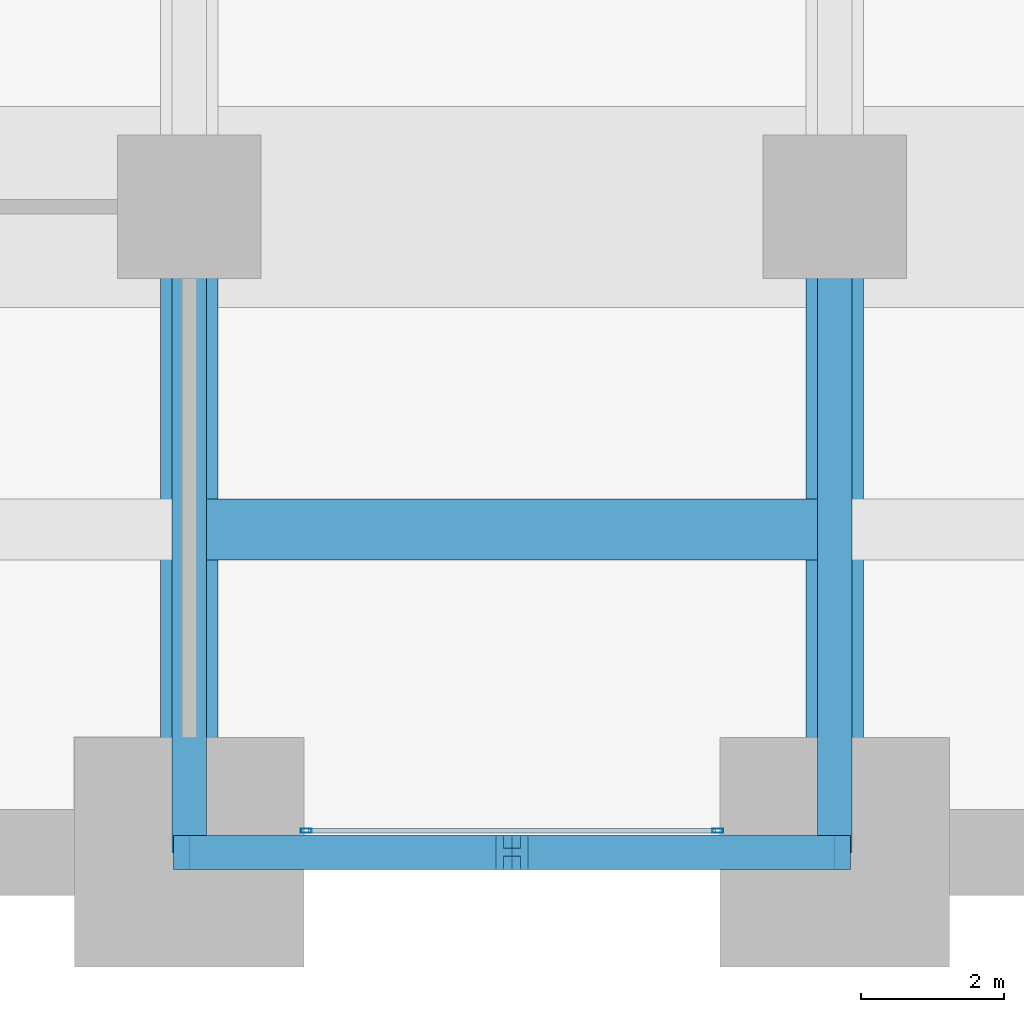
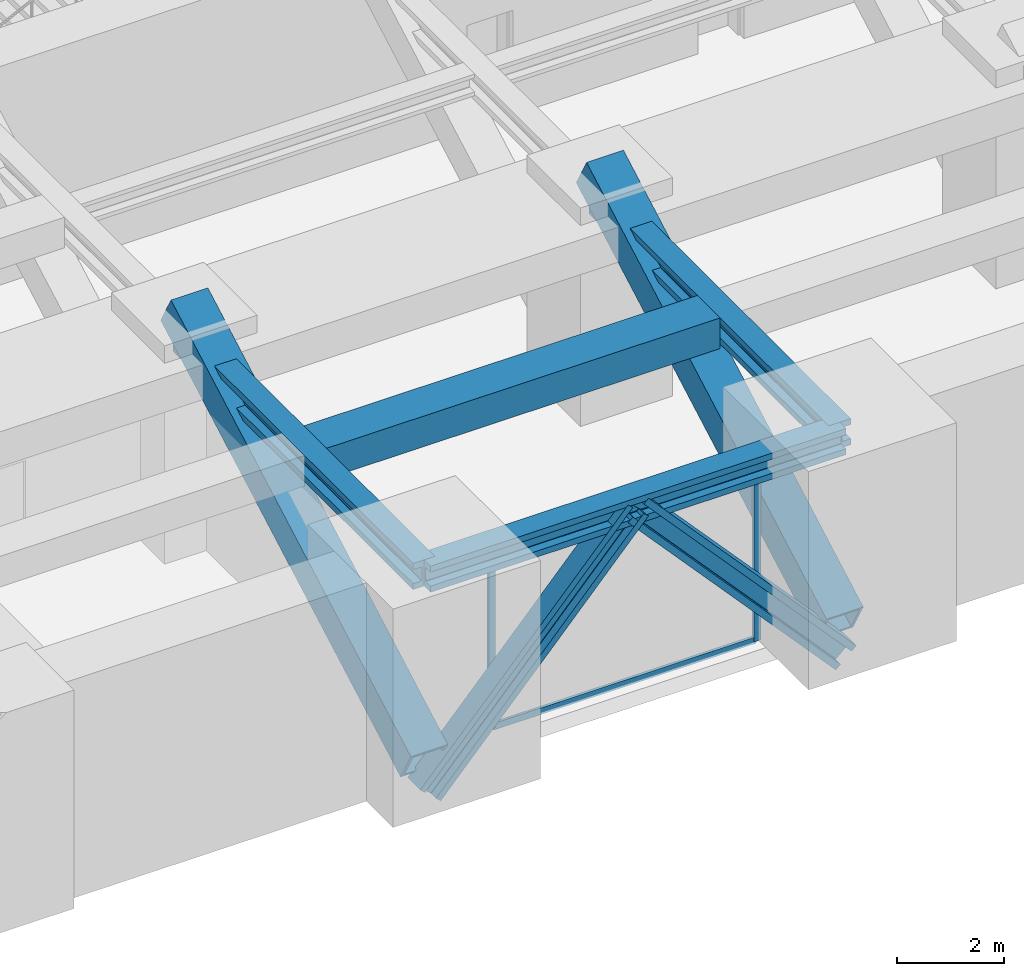
# One storey, part 7 of 38: 7 members, 4 beams, 1 element without a shape of its own.
"""IFC4 building model written with IfcOpenShell, lengths in metres."""

from ifc_helpers import new_model, si_unit, direction, frame, origin, origin_2d, place, context, subcontext, project, spatial, rectangle, hollow_rectangle, i_section, extrude, material, material_profile, profile_set, type_object, element, aggregate, save


model = new_model("IFC4")

# Units and contexts
model_context = context("Model", 3, precision=1e-05, world=origin(), true_north=direction((0.0, 1.0)))
body_context = subcontext(model_context, "Body", "Model", "MODEL_VIEW")
ifc_project = project(units=[si_unit("LENGTHUNIT", "METRE"), si_unit("AREAUNIT", "SQUARE_METRE"), si_unit("VOLUMEUNIT", "CUBIC_METRE"), si_unit("PLANEANGLEUNIT", "RADIAN"), si_unit("MASSUNIT", "GRAM", prefix="KILO")], contexts=[model_context])

# Site, building, storey
site_placement = place(None, origin())
site = spatial("IfcSite", under=ifc_project, at=site_placement, CompositionType="ELEMENT")
building_placement = place(site_placement, origin())
building = spatial("IfcBuilding", under=site, at=building_placement, Name="Zorevar Civic Tower", CompositionType="ELEMENT")
storey_placement = place(building_placement, frame((0.0, 0.0, 157.199951171875)))
storey = spatial("IfcBuildingStorey", under=building, at=storey_placement, Name="L38", CompositionType="ELEMENT", Elevation=157.199951171875)

# Beams
ifc_material_1 = material(Name="Concrete C50/60", Category="concrete")
ifc_material_profile_1 = material_profile(ifc_material_1, rectangle(XDim=0.85009765625, YDim=0.699951171875, at=origin_2d()), Name="RC 850x700")
ifc_profile_set_1 = profile_set([ifc_material_profile_1], Name="Concrete C50/60")
beam_type_1 = type_object("IfcBeamType", Name="Beam RC 850x700", PredefinedType="BEAM", material=ifc_profile_set_1)
beam_1_placement = place(storey_placement, frame((18.238037109375, 4.5, 4.25), z_axis=(1.0, 0.0, 0.0), x_axis=(0.0, 1.0, 0.0)))
element("IfcBeam", 1, at=beam_1_placement, inside=storey, type_object=beam_type_1, Name="Secondary beam L39", PredefinedType="BEAM", context=body_context, shape_type="SweptSolid", body=[
    extrude(rectangle(XDim=0.85009765625, YDim=0.699951171875, at=origin_2d()), origin(), (0.0, 0.0, 1.0), 8.52392578125),
])
ifc_material_2 = material(Name="Steel S460M (HISTAR 460)", Category="steel")
ifc_material_profile_2 = material_profile(ifc_material_2, i_section(OverallWidth=0.47607421875, OverallDepth=0.60009765625, WebThickness=0.10009765625, FlangeThickness=0.139892578125, FilletRadius=0.014892578125, at=origin_2d()), Name="HD 400x1299")
ifc_profile_set_2 = profile_set([ifc_material_profile_2], Name="Steel S460M (HISTAR 460)")
beam_type_2 = type_object("IfcBeamType", Name="Belt chord HD 400x1299", PredefinedType="BEAM", material=ifc_profile_set_2)
beam_2_placement = place(storey_placement, frame((18.0, 0.0, 4.300048828125), z_axis=(1.0, 0.0, 0.0), x_axis=(0.0, 1.0, 0.0)))
element("IfcBeam", 2, at=beam_2_placement, inside=storey, type_object=beam_type_2, Name="Belt chord L39", PredefinedType="BEAM", context=body_context, shape_type="SweptSolid", body=[
    extrude(i_section(OverallWidth=0.47607421875, OverallDepth=0.60009765625, WebThickness=0.10009765625, FlangeThickness=0.139892578125, FilletRadius=0.014892578125, at=origin_2d()), origin(), (0.0, 0.0, 1.0), 9.0),
])

# Members
ifc_material_3 = material(Name="Steel S460M (HISTAR 460)", Category="steel")
ifc_material_profile_3 = material_profile(ifc_material_3, i_section(OverallWidth=0.47607421875, OverallDepth=0.60009765625, WebThickness=0.10009765625, FlangeThickness=0.139892578125, FilletRadius=0.014892578125, at=origin_2d()), Name="HD 400x1299")
ifc_profile_set_3 = profile_set([ifc_material_profile_3], Name="Steel S460M (HISTAR 460)")
member_type_1 = type_object("IfcMemberType", Name="Belt strut HD 400x1299", PredefinedType="BRACE", material=ifc_profile_set_3)
for number, where, z_axis, x_axis, name in (
    (3, (18.0, 0.0, -0.64990234375), (0.672676426978, 0.0, 0.739936770669), (0.0, 1.0, 0.0), "Belt strut S L38"),
    (4, (27.0, 0.0, -0.64990234375), (-0.672676426978, 0.0, 0.739936770669), (0.0, -1.0, 0.0), "Belt strut S L38"),
):
    element("IfcMember", number, at=place(storey_placement, frame(where, z_axis=z_axis, x_axis=x_axis)), inside=storey, type_object=member_type_1, Name=name, PredefinedType="BRACE", context=body_context, shape_type="SweptSolid", body=[
        extrude(i_section(OverallWidth=0.47607421875, OverallDepth=0.60009765625, WebThickness=0.10009765625, FlangeThickness=0.139892578125, FilletRadius=0.014892578125, at=origin_2d()), origin(), (0.0, 0.0, 1.0), 6.689697265625),
    ])

# Curtain wall, members
ifc_material_4 = material(Name="Black aluminium louvres", Category="aluminium")
curtain_wall_type = type_object("IfcCurtainWallType", Name="Louvred curtain wall CW6 refuge", PredefinedType="NOTDEFINED", material=ifc_material_4)
curtain_wall_placement = place(storey_placement, origin())
curtain_wall = element("IfcCurtainWall", 5, at=curtain_wall_placement, inside=storey, type_object=curtain_wall_type, Name="CW6 L38", PredefinedType="NOTDEFINED")
ifc_material_5 = material(Name="Aluminium, black anodised", Category="aluminium")
ifc_material_profile_4 = material_profile(ifc_material_5, hollow_rectangle(XDim=0.06005859375, YDim=0.14990234375, WallThickness=0.00390625, at=origin_2d()), Name="AL 150x60x4")
ifc_profile_set_4 = profile_set([ifc_material_profile_4], Name="Aluminium, black anodised")
member_type_2 = type_object("IfcMemberType", Name="CW6 mullion AL 150x60x4", PredefinedType="MULLION", material=ifc_profile_set_4)
member_1_placement = place(storey_placement, frame((19.6298828125, 0.300048828125, 0.0), z_axis=(0.0, 0.0, 1.0), x_axis=(0.0, 1.0, 0.0)))
member_1 = element("IfcMember", 6, at=member_1_placement, type_object=member_type_2, Name="CW6 mullion 1", PredefinedType="MULLION", context=body_context, shape_type="SweptSolid", body=[
    extrude(hollow_rectangle(XDim=0.06005859375, YDim=0.14990234375, WallThickness=0.00390625, at=origin_2d()), origin(), (0.0, 0.0, 1.0), 3.800048828125),
])
member_2_placement = place(storey_placement, frame((25.3701171875, 0.300048828125, 0.0), z_axis=(0.0, 0.0, 1.0), x_axis=(0.0, 1.0, 0.0)))
member_2 = element("IfcMember", 7, at=member_2_placement, type_object=member_type_2, Name="CW6 mullion 2", PredefinedType="MULLION", context=body_context, shape_type="SweptSolid", body=[
    extrude(hollow_rectangle(XDim=0.06005859375, YDim=0.14990234375, WallThickness=0.00390625, at=origin_2d()), origin(), (0.0, 0.0, 1.0), 3.800048828125),
])
ifc_material_6 = material(Name="Aluminium, black anodised", Category="aluminium")
ifc_material_profile_5 = material_profile(ifc_material_6, hollow_rectangle(XDim=0.06005859375, YDim=0.14990234375, WallThickness=0.00390625, at=origin_2d()), Name="AL 150x60x4")
ifc_profile_set_5 = profile_set([ifc_material_profile_5], Name="Aluminium, black anodised")
member_type_3 = type_object("IfcMemberType", Name="CW6 transom AL 150x60x4", PredefinedType="USERDEFINED", material=ifc_profile_set_5)
member_3_placement = place(storey_placement, frame((19.659912109375, 0.300048828125, 0.030029296875), z_axis=(1.0, 0.0, 0.0), x_axis=(0.0, 1.0, 0.0)))
member_3 = element("IfcMember", 8, at=member_3_placement, type_object=member_type_3, Name="CW6 sill transom", ObjectType="TRANSOM", PredefinedType="USERDEFINED", context=body_context, shape_type="SweptSolid", body=[
    extrude(hollow_rectangle(XDim=0.06005859375, YDim=0.14990234375, WallThickness=0.00390625, at=origin_2d()), origin(), (0.0, 0.0, 1.0), 5.68017578125),
])
aggregate(curtain_wall, [member_1, member_2, member_3])

# Beams
ifc_material_7 = material(Name="Steel S460M (HISTAR 460)", Category="steel")
ifc_material_profile_6 = material_profile(ifc_material_7, i_section(OverallWidth=0.47607421875, OverallDepth=0.60009765625, WebThickness=0.10009765625, FlangeThickness=0.139892578125, FilletRadius=0.014892578125, at=origin_2d()), Name="HD 400x1299")
ifc_profile_set_6 = profile_set([ifc_material_profile_6], Name="Steel S460M (HISTAR 460)")
beam_type_3 = type_object("IfcBeamType", Name="Outrigger chord HD 400x1299", PredefinedType="BEAM", material=ifc_profile_set_6)
for number, where, z_axis, x_axis, name in (
    (9, (18.0, 0.0, 4.300048828125), (0.0, 1.0, 0.0), (-1.0, 0.0, 0.0), "Outrigger chord L39"),
    (10, (27.0, 0.0, 4.300048828125), (0.0, 1.0, 0.0), (-1.0, 0.0, 0.0), "Outrigger chord L39"),
):
    element("IfcBeam", number, at=place(storey_placement, frame(where, z_axis=z_axis, x_axis=x_axis)), inside=storey, type_object=beam_type_3, Name=name, PredefinedType="BEAM", context=body_context, shape_type="SweptSolid", body=[
        extrude(i_section(OverallWidth=0.47607421875, OverallDepth=0.60009765625, WebThickness=0.10009765625, FlangeThickness=0.139892578125, FilletRadius=0.014892578125, at=origin_2d()), origin(), (0.0, 0.0, 1.0), 9.0),
    ])

# Members
ifc_material_8 = material(Name="Steel S460M (HISTAR 460)", Category="steel")
ifc_material_profile_7 = material_profile(ifc_material_8, hollow_rectangle(XDim=0.800048828125, YDim=0.800048828125, WallThickness=0.06005859375, at=origin_2d()), Name="BOX 800x800x60")
ifc_profile_set_7 = profile_set([ifc_material_profile_7], Name="Steel S460M (HISTAR 460)")
member_type_4 = type_object("IfcMemberType", Name="Outrigger diagonal BOX 800x800x60", PredefinedType="BRACE", material=ifc_profile_set_7)
for number, where, z_axis, x_axis, name in (
    (11, (18.0, 9.0, 5.0), (0.0, -0.874157276122, -0.485642931179), (1.0, 0.0, 0.0), "Outrigger diagonal S L38"),
    (12, (27.0, 9.0, 5.0), (0.0, -0.874157276122, -0.485642931179), (1.0, 0.0, 0.0), "Outrigger diagonal S L38"),
):
    element("IfcMember", number, at=place(storey_placement, frame(where, z_axis=z_axis, x_axis=x_axis)), inside=storey, type_object=member_type_4, Name=name, PredefinedType="BRACE", context=body_context, shape_type="SweptSolid", body=[
        extrude(hollow_rectangle(XDim=0.800048828125, YDim=0.800048828125, WallThickness=0.06005859375, at=origin_2d()), origin(), (0.0, 0.0, 1.0), 10.295654296875),
    ])

save(model, "model.ifc")
